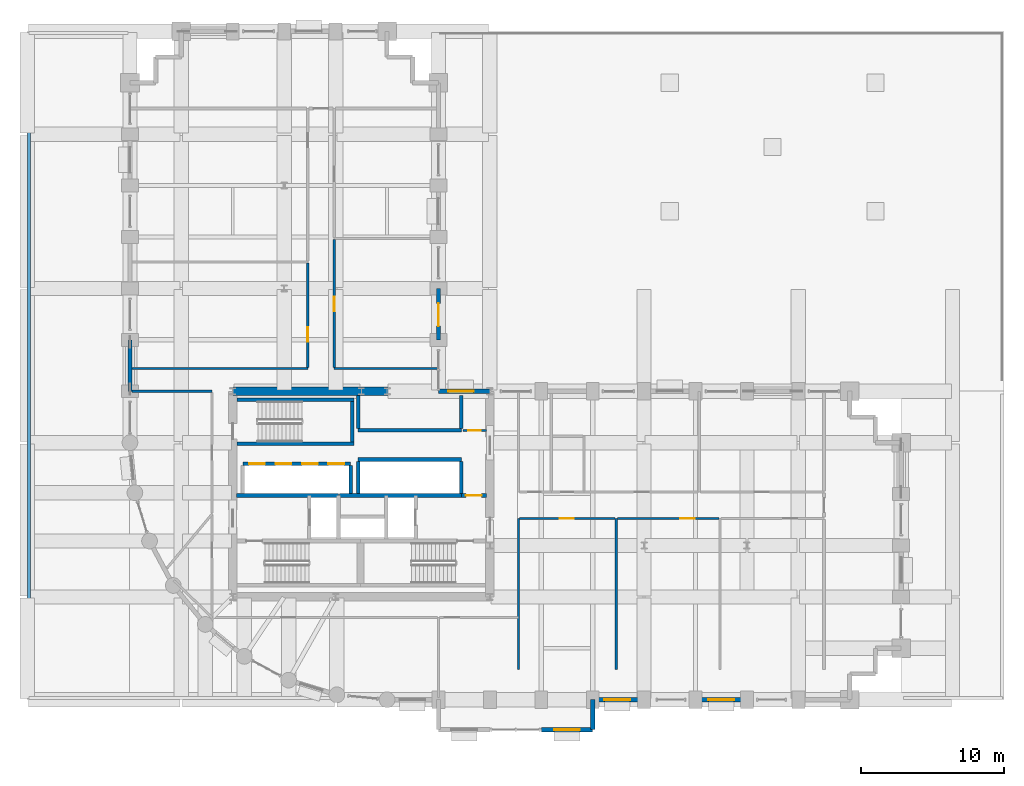
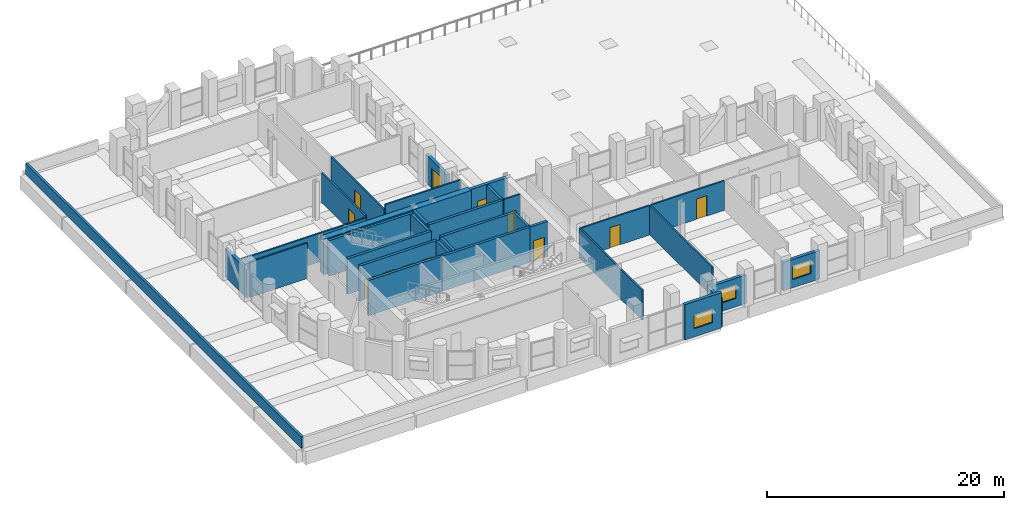
# One storey, part 35 of 39: 33 walls, 11 doors, 4 windows, 15 openings.
"""IFC4 building model written with IfcOpenShell, lengths in metres."""

from ifc_helpers import new_model, si_unit, direction, frame, frame_2d, origin, place, context, subcontext, project, spatial, rectangle, extrude, material, layer, layer_set, type_object, element, fill, save


model = new_model("IFC4")

# Units and contexts
model_context = context("Model", 3, precision=1e-05, world=origin(), true_north=direction((0.0, 1.0)))
body_context = subcontext(model_context, "Body", "Model", "MODEL_VIEW")
ifc_project = project(units=[si_unit("LENGTHUNIT", "METRE"), si_unit("AREAUNIT", "SQUARE_METRE"), si_unit("VOLUMEUNIT", "CUBIC_METRE"), si_unit("PLANEANGLEUNIT", "RADIAN"), si_unit("MASSUNIT", "GRAM", prefix="KILO")], contexts=[model_context])

# Site, building, storey
site_placement = place(None, origin())
site = spatial("IfcSite", under=ifc_project, at=site_placement, CompositionType="ELEMENT")
building_placement = place(site_placement, origin())
building = spatial("IfcBuilding", under=site, at=building_placement, Name="Solnavia Interchange Tower", CompositionType="ELEMENT")
storey_placement = place(building_placement, frame((0.0, 0.0, 24.0)))
storey = spatial("IfcBuildingStorey", under=building, at=storey_placement, Name="L05", CompositionType="ELEMENT", Elevation=24.0)

# Wall, opening, window
ifc_material_1 = material(Name="Concrete C40/50", Category="concrete")
ifc_layer_1 = layer(ifc_material_1, 0.300048828125)
ifc_layer_set_1 = layer_set([ifc_layer_1], Name="Concrete C40/50")
wall_type_1 = type_object("IfcWallType", Name="Wall-ExtSpandrel-300", PredefinedType="STANDARD", material=ifc_layer_set_1)
wall_1_placement = place(storey_placement, frame((39.60009765625, 1.5, 0.0), z_axis=(0.0, 0.0, 1.0), x_axis=(-1.0, 0.0, 0.0)))
wall_1 = element("IfcWall", 1, at=wall_1_placement, inside=storey, type_object=wall_type_1, Name="EXW-L05-05 Exterior precast spandrel wall", PredefinedType="STANDARD", context=body_context, shape_type="SweptSolid", body=[
    extrude(rectangle(XDim=3.60009765625, YDim=0.300048828125, at=frame_2d((1.800048828125, 0.0))), origin(), (0.0, 0.0, 1.0), 3.635009765625),
])
opening_1_placement = place(wall_1_placement, frame((0.89990234375, 0.0, 0.85009765625)))
opening_1 = element("IfcOpeningElement", 2, at=opening_1_placement, cuts=wall_1, Name="Opening WIN-02", PredefinedType="OPENING", context=body_context, shape_type="SweptSolid", body=[
    extrude(rectangle(XDim=1.800048828125, YDim=1.35009765625, at=frame_2d((0.89990234375, 0.675048828125))), frame((0.0, 0.16015625, 0.0), z_axis=(0.0, -1.0, 0.0), x_axis=(1.0, 0.0, 0.0)), (0.0, 0.0, 1.0), 0.320068359375),
])
ifc_material_2 = material(Name="Thermal-Break Aluminium & Low-E Glass", Category="aluminium")
window_type = type_object("IfcWindowType", Name="Window-Ribbon-1800x1350", PartitioningType="SINGLE_PANEL", PredefinedType="WINDOW", material=ifc_material_2)
window_1_placement = place(opening_1_placement, origin())
window_1 = element("IfcWindow", 3, at=window_1_placement, inside=storey, type_object=window_type, Name="WIN-L05-05 Facade ribbon window", OverallHeight=1.35009765625, OverallWidth=1.800048828125, PartitioningType="SINGLE_PANEL", PredefinedType="WINDOW", context=body_context, shape_type="SweptSolid", body=[
    extrude(rectangle(XDim=1.800048828125, YDim=1.35009765625, at=frame_2d((0.89990234375, 0.675048828125))), frame((0.0, 0.030029296875, 0.0), z_axis=(0.0, -1.0, 0.0), x_axis=(1.0, 0.0, 0.0)), (0.0, 0.0, 1.0), 0.06005859375),
])
fill(opening_1, window_1)

# Wall
wall_2_placement = place(storey_placement, frame((39.60009765625, 3.60009765625, 0.0), z_axis=(0.0, 0.0, 1.0), x_axis=(0.0, -1.0, 0.0)))
element("IfcWall", 4, at=wall_2_placement, inside=storey, type_object=wall_type_1, Name="EXW-L05-06 Exterior precast spandrel wall", PredefinedType="STANDARD", context=body_context, shape_type="SweptSolid", body=[
    extrude(rectangle(XDim=2.10009765625, YDim=0.300048828125, at=frame_2d((1.050048828125, 0.0))), origin(), (0.0, 0.0, 1.0), 2.929931640625),
])

# Wall, opening, window
wall_3_placement = place(storey_placement, frame((43.199951171875, 3.60009765625, 0.0), z_axis=(0.0, 0.0, 1.0), x_axis=(-1.0, 0.0, 0.0)))
wall_3 = element("IfcWall", 5, at=wall_3_placement, inside=storey, type_object=wall_type_1, Name="EXW-L05-07 Exterior precast spandrel wall", PredefinedType="STANDARD", context=body_context, shape_type="SweptSolid", body=[
    extrude(rectangle(XDim=3.599853515625, YDim=0.300048828125, at=frame_2d((1.7998046875, 0.0))), origin(), (0.0, 0.0, 1.0), 2.929931640625),
])
opening_2_placement = place(wall_3_placement, frame((0.97509765625, 0.0, 0.85009765625)))
opening_2 = element("IfcOpeningElement", 6, at=opening_2_placement, cuts=wall_3, Name="Opening WIN-02", PredefinedType="OPENING", context=body_context, shape_type="SweptSolid", body=[
    extrude(rectangle(XDim=1.800048828125, YDim=1.35009765625, at=frame_2d((0.89990234375, 0.675048828125))), frame((0.0, 0.16015625, 0.0), z_axis=(0.0, -1.0, 0.0), x_axis=(1.0, 0.0, 0.0)), (0.0, 0.0, 1.0), 0.320068359375),
])
window_2_placement = place(opening_2_placement, origin())
window_2 = element("IfcWindow", 7, at=window_2_placement, inside=storey, type_object=window_type, Name="WIN-L05-07 Facade ribbon window", OverallHeight=1.35009765625, OverallWidth=1.800048828125, PartitioningType="SINGLE_PANEL", PredefinedType="WINDOW", context=body_context, shape_type="SweptSolid", body=[
    extrude(rectangle(XDim=1.800048828125, YDim=1.35009765625, at=frame_2d((0.89990234375, 0.675048828125))), frame((0.0, 0.030029296875, 0.0), z_axis=(0.0, -1.0, 0.0), x_axis=(1.0, 0.0, 0.0)), (0.0, 0.0, 1.0), 0.06005859375),
])
fill(opening_2, window_2)

wall_4_placement = place(storey_placement, frame((50.39990234375, 3.60009765625, 0.0), z_axis=(0.0, 0.0, 1.0), x_axis=(-1.0, 0.0, 0.0)))
wall_4 = element("IfcWall", 8, at=wall_4_placement, inside=storey, type_object=wall_type_1, Name="EXW-L05-09 Exterior precast spandrel wall", PredefinedType="STANDARD", context=body_context, shape_type="SweptSolid", body=[
    extrude(rectangle(XDim=3.599853515625, YDim=0.300048828125, at=frame_2d((1.7998046875, 0.0))), origin(), (0.0, 0.0, 1.0), 2.929931640625),
])
opening_3_placement = place(wall_4_placement, frame((0.89990234375, 0.0, 0.85009765625)))
opening_3 = element("IfcOpeningElement", 9, at=opening_3_placement, cuts=wall_4, Name="Opening WIN-02", PredefinedType="OPENING", context=body_context, shape_type="SweptSolid", body=[
    extrude(rectangle(XDim=1.800048828125, YDim=1.35009765625, at=frame_2d((0.89990234375, 0.675048828125))), frame((0.0, 0.16015625, 0.0), z_axis=(0.0, -1.0, 0.0), x_axis=(1.0, 0.0, 0.0)), (0.0, 0.0, 1.0), 0.320068359375),
])
window_3_placement = place(opening_3_placement, origin())
window_3 = element("IfcWindow", 10, at=window_3_placement, inside=storey, type_object=window_type, Name="WIN-L05-09 Facade ribbon window", OverallHeight=1.35009765625, OverallWidth=1.800048828125, PartitioningType="SINGLE_PANEL", PredefinedType="WINDOW", context=body_context, shape_type="SweptSolid", body=[
    extrude(rectangle(XDim=1.800048828125, YDim=1.35009765625, at=frame_2d((0.89990234375, 0.675048828125))), frame((0.0, 0.030029296875, 0.0), z_axis=(0.0, -1.0, 0.0), x_axis=(1.0, 0.0, 0.0)), (0.0, 0.0, 1.0), 0.06005859375),
])
fill(opening_3, window_3)

wall_5_placement = place(storey_placement, frame((28.800048828125, 25.199951171875, 0.0), z_axis=(0.0, 0.0, 1.0), x_axis=(1.0, 0.0, 0.0)))
wall_5 = element("IfcWall", 11, at=wall_5_placement, inside=storey, type_object=wall_type_1, Name="EXW-L05-31 Exterior precast spandrel wall", PredefinedType="STANDARD", context=body_context, shape_type="SweptSolid", body=[
    extrude(rectangle(XDim=3.599853515625, YDim=0.300048828125, at=frame_2d((1.7998046875, 0.0))), origin(), (0.0, 0.0, 1.0), 3.635009765625),
])
opening_4_placement = place(wall_5_placement, frame((0.669921875, 0.0, 0.85009765625)))
opening_4 = element("IfcOpeningElement", 12, at=opening_4_placement, cuts=wall_5, Name="Opening WIN-02", PredefinedType="OPENING", context=body_context, shape_type="SweptSolid", body=[
    extrude(rectangle(XDim=1.800048828125, YDim=1.35009765625, at=frame_2d((0.89990234375, 0.675048828125))), frame((0.0, 0.16015625, 0.0), z_axis=(0.0, -1.0, 0.0), x_axis=(1.0, 0.0, 0.0)), (0.0, 0.0, 1.0), 0.320068359375),
])
window_4_placement = place(opening_4_placement, origin())
window_4 = element("IfcWindow", 13, at=window_4_placement, inside=storey, type_object=window_type, Name="WIN-L05-31 Facade ribbon window", OverallHeight=1.35009765625, OverallWidth=1.800048828125, PartitioningType="SINGLE_PANEL", PredefinedType="WINDOW", context=body_context, shape_type="SweptSolid", body=[
    extrude(rectangle(XDim=1.800048828125, YDim=1.35009765625, at=frame_2d((0.89990234375, 0.675048828125))), frame((0.0, 0.030029296875, 0.0), z_axis=(0.0, -1.0, 0.0), x_axis=(1.0, 0.0, 0.0)), (0.0, 0.0, 1.0), 0.06005859375),
])
fill(opening_4, window_4)

# Wall, opening, door
wall_6_placement = place(storey_placement, frame((28.800048828125, 28.800048828125, 0.0), z_axis=(0.0, 0.0, 1.0), x_axis=(0.0, 1.0, 0.0)))
wall_6 = element("IfcWall", 14, at=wall_6_placement, inside=storey, type_object=wall_type_1, Name="EXW-L05-33 Exterior precast spandrel wall", PredefinedType="STANDARD", context=body_context, shape_type="SweptSolid", body=[
    extrude(rectangle(XDim=3.599853515625, YDim=0.300048828125, at=frame_2d((1.7998046875, 0.0))), origin(), (0.0, 0.0, 1.0), 2.929931640625),
])
opening_5_placement = place(wall_6_placement, frame((0.9609375, 0.0, 0.0)))
opening_5 = element("IfcOpeningElement", 15, at=opening_5_placement, cuts=wall_6, Name="Opening EXD-04", PredefinedType="OPENING", context=body_context, shape_type="SweptSolid", body=[
    extrude(rectangle(XDim=1.60009765625, YDim=2.10009765625, at=frame_2d((0.800048828125, 1.050048828125))), frame((0.0, 0.16015625, 0.0), z_axis=(0.0, -1.0, 0.0), x_axis=(1.0, 0.0, 0.0)), (0.0, 0.0, 1.0), 0.320068359375),
])
ifc_material_3 = material(Name="Thermally Broken Aluminium & Laminated Glass", Category="aluminium")
door_type_1 = type_object("IfcDoorType", Name="Door-TerraceGlazed-1600x2100", OperationType="DOUBLE_DOOR_SINGLE_SWING", PredefinedType="DOOR", material=ifc_material_3)
door_1_placement = place(opening_5_placement, origin())
door_1 = element("IfcDoor", 16, at=door_1_placement, inside=storey, type_object=door_type_1, Name="EXD-L05-PR1 Podium roof garden access door", OperationType="SINGLE_SWING_LEFT", OverallHeight=2.10009765625, OverallWidth=1.60009765625, PredefinedType="DOOR", context=body_context, shape_type="SweptSolid", body=[
    extrude(rectangle(XDim=1.60009765625, YDim=2.10009765625, at=frame_2d((0.800048828125, 1.050048828125))), frame((0.0, 0.02490234375, 0.0), z_axis=(0.0, -1.0, 0.0), x_axis=(1.0, 0.0, 0.0)), (0.0, 0.0, 1.0), 0.050048828125),
])
fill(opening_5, door_1)

# Walls
wall_7_placement = place(storey_placement, frame((7.199951171875, 25.199951171875, 0.0), z_axis=(0.0, 0.0, 1.0), x_axis=(0.0, 1.0, 0.0)))
element("IfcWall", 17, at=wall_7_placement, inside=storey, type_object=wall_type_1, Name="EXW-L05-55 Exterior precast spandrel wall", PredefinedType="STANDARD", context=body_context, shape_type="SweptSolid", body=[
    extrude(rectangle(XDim=3.60009765625, YDim=0.300048828125, at=frame_2d((1.800048828125, 0.0))), origin(), (0.0, 0.0, 1.0), 2.929931640625),
])
ifc_layer_2 = layer(ifc_material_1, 0.219970703125)
ifc_layer_set_2 = layer_set([ifc_layer_2], Name="Concrete C40/50")
wall_type_2 = type_object("IfcWallType", Name="Wall-Parapet-220", PredefinedType="PARAPET", material=ifc_layer_set_2)
wall_8_placement = place(storey_placement, frame((0.1201171875, 50.280029296875, 0.0), z_axis=(0.0, 0.0, 1.0), x_axis=(0.0, -1.0, 0.0)))
element("IfcWall", 18, at=wall_8_placement, inside=storey, type_object=wall_type_2, Name="PRP-L05-W2 Podium roof west parapet", PredefinedType="PARAPET", context=body_context, shape_type="SweptSolid", body=[
    extrude(rectangle(XDim=46.56005859375, YDim=0.219970703125, at=frame_2d((23.280029296875, 0.0))), origin(), (0.0, 0.0, 1.0), 1.14990234375),
])

# Wall, opening, door
ifc_material_4 = material(Name="Gypsum Plasterboard & Steel Stud", Category="steel")
ifc_layer_3 = layer(ifc_material_4, 0.14990234375)
ifc_layer_set_3 = layer_set([ifc_layer_3], Name="Gypsum Plasterboard & Steel Stud")
wall_type_3 = type_object("IfcWallType", Name="Wall-Partition-150", PredefinedType="PARTITIONING", material=ifc_layer_set_3)
wall_9_placement = place(storey_placement, frame((30.52001953125, 22.4599609375, 0.0), z_axis=(0.0, 0.0, 1.0), x_axis=(1.0, 0.0, 0.0)))
wall_9 = element("IfcWall", 19, at=wall_9_placement, inside=storey, type_object=wall_type_3, Name="CSW-L05-NE-S Core shaft wall", PredefinedType="PARTITIONING", context=body_context, shape_type="SweptSolid", body=[
    extrude(rectangle(XDim=1.6298828125, YDim=0.14990234375, at=frame_2d((0.81494140625, 0.0))), origin(), (0.0, 0.0, 1.0), 3.635009765625),
])
opening_6_placement = place(wall_9_placement, frame((0.3798828125, 0.0, 0.0)))
opening_6 = element("IfcOpeningElement", 20, at=opening_6_placement, cuts=wall_9, Name="Opening DR-10", PredefinedType="OPENING", context=body_context, shape_type="SweptSolid", body=[
    extrude(rectangle(XDim=0.85009765625, YDim=2.10009765625, at=frame_2d((0.425048828125, 1.050048828125))), frame((0.0, 0.0849609375, 0.0), z_axis=(0.0, -1.0, 0.0), x_axis=(1.0, 0.0, 0.0)), (0.0, 0.0, 1.0), 0.169921875),
])
ifc_material_5 = material(Name="Moisture-Resistant Timber Door", Category="wood")
door_type_2 = type_object("IfcDoorType", Name="Door-Bathroom-850x2100", OperationType="SINGLE_SWING_RIGHT", PredefinedType="DOOR", material=ifc_material_5)
door_2_placement = place(opening_6_placement, origin())
door_2 = element("IfcDoor", 21, at=door_2_placement, inside=storey, type_object=door_type_2, Name="DR-L05-CNE1 Core fire door", OperationType="SINGLE_SWING_RIGHT", OverallHeight=2.10009765625, OverallWidth=0.85009765625, PredefinedType="DOOR", context=body_context, shape_type="SweptSolid", body=[
    extrude(rectangle(XDim=0.85009765625, YDim=2.10009765625, at=frame_2d((0.425048828125, 1.050048828125))), frame((0.0, 0.02490234375, 0.0), z_axis=(0.0, -1.0, 0.0), x_axis=(1.0, 0.0, 0.0)), (0.0, 0.0, 1.0), 0.050048828125),
])
fill(opening_6, door_2)

# Walls
wall_10_placement = place(storey_placement, frame((7.35400390625, 25.199951171875, 0.0), z_axis=(0.0, 0.0, 1.0), x_axis=(1.0, 0.0, 0.0)))
element("IfcWall", 22, at=wall_10_placement, inside=storey, type_object=wall_type_3, Name="PTW-L05-07 Interior partition wall", PredefinedType="PARTITIONING", context=body_context, shape_type="SweptSolid", body=[
    extrude(rectangle(XDim=5.595947265625, YDim=0.14990234375, at=frame_2d((2.7978515625, 0.0))), origin(), (0.0, 0.0, 1.0), 3.635009765625),
])
wall_11_placement = place(storey_placement, frame((34.39990234375, 5.699951171875, 0.0), z_axis=(0.0, 0.0, 1.0), x_axis=(0.0, 1.0, 0.0)))
element("IfcWall", 23, at=wall_11_placement, inside=storey, type_object=wall_type_3, Name="PTW-L05-15 Interior partition wall", PredefinedType="PARTITIONING", context=body_context, shape_type="SweptSolid", body=[
    extrude(rectangle(XDim=10.60009765625, YDim=0.14990234375, at=frame_2d((5.300048828125, 0.0))), origin(), (0.0, 0.0, 1.0), 3.080078125),
])
wall_12_placement = place(storey_placement, frame((41.25, 5.699951171875, 0.0), z_axis=(0.0, 0.0, 1.0), x_axis=(0.0, 1.0, 0.0)))
element("IfcWall", 24, at=wall_12_placement, inside=storey, type_object=wall_type_3, Name="PTW-L05-16 Interior partition wall", PredefinedType="PARTITIONING", context=body_context, shape_type="SweptSolid", body=[
    extrude(rectangle(XDim=10.60009765625, YDim=0.14990234375, at=frame_2d((5.300048828125, 0.0))), origin(), (0.0, 0.0, 1.0), 3.030029296875),
])

# Wall, opening, door
wall_13_placement = place(storey_placement, frame((34.47900390625, 16.300048828125, 0.0), z_axis=(0.0, 0.0, 1.0), x_axis=(1.0, 0.0, 0.0)))
wall_13 = element("IfcWall", 25, at=wall_13_placement, inside=storey, type_object=wall_type_3, Name="PTW-L05-17 Interior partition wall", PredefinedType="PARTITIONING", context=body_context, shape_type="SweptSolid", body=[
    extrude(rectangle(XDim=6.69189453125, YDim=0.14990234375, at=frame_2d((3.345947265625, 0.0))), origin(), (0.0, 0.0, 1.0), 3.0400390625),
])
opening_7_placement = place(wall_13_placement, frame((2.806884765625, 0.0, 0.0)))
opening_7 = element("IfcOpeningElement", 26, at=opening_7_placement, cuts=wall_13, Name="Opening DR-07", PredefinedType="OPENING", context=body_context, shape_type="SweptSolid", body=[
    extrude(rectangle(XDim=1.0, YDim=2.10009765625, at=frame_2d((0.5, 1.050048828125))), frame((0.0, 0.0849609375, 0.0), z_axis=(0.0, -1.0, 0.0), x_axis=(1.0, 0.0, 0.0)), (0.0, 0.0, 1.0), 0.169921875),
])
ifc_material_6 = material(Name="Timber & Acoustic Glazed Office Door", Category="wood")
door_type_3 = type_object("IfcDoorType", Name="Door-Office-1000x2100", OperationType="SINGLE_SWING_RIGHT", PredefinedType="DOOR", material=ifc_material_6)
door_3_placement = place(opening_7_placement, origin())
door_3 = element("IfcDoor", 27, at=door_3_placement, inside=storey, type_object=door_type_3, Name="DR-L05-07 Interior room door", OperationType="SINGLE_SWING_LEFT", OverallHeight=2.10009765625, OverallWidth=1.0, PredefinedType="DOOR", context=body_context, shape_type="SweptSolid", body=[
    extrude(rectangle(XDim=1.0, YDim=2.10009765625, at=frame_2d((0.5, 1.050048828125))), frame((0.0, 0.02490234375, 0.0), z_axis=(0.0, -1.0, 0.0), x_axis=(1.0, 0.0, 0.0)), (0.0, 0.0, 1.0), 0.050048828125),
])
fill(opening_7, door_3)

wall_14_placement = place(storey_placement, frame((41.3291015625, 16.300048828125, 0.0), z_axis=(0.0, 0.0, 1.0), x_axis=(1.0, 0.0, 0.0)))
wall_14 = element("IfcWall", 28, at=wall_14_placement, inside=storey, type_object=wall_type_3, Name="PTW-L05-19 Interior partition wall", PredefinedType="PARTITIONING", context=body_context, shape_type="SweptSolid", body=[
    extrude(rectangle(XDim=7.11181640625, YDim=0.14990234375, at=frame_2d((3.555908203125, 0.0))), origin(), (0.0, 0.0, 1.0), 3.0400390625),
])
opening_8_placement = place(wall_14_placement, frame((4.404052734375, 0.0, 0.0)))
opening_8 = element("IfcOpeningElement", 29, at=opening_8_placement, cuts=wall_14, Name="Opening DR-07", PredefinedType="OPENING", context=body_context, shape_type="SweptSolid", body=[
    extrude(rectangle(XDim=1.0, YDim=2.10009765625, at=frame_2d((0.5, 1.050048828125))), frame((0.0, 0.0849609375, 0.0), z_axis=(0.0, -1.0, 0.0), x_axis=(1.0, 0.0, 0.0)), (0.0, 0.0, 1.0), 0.169921875),
])
door_4_placement = place(opening_8_placement, origin())
door_4 = element("IfcDoor", 30, at=door_4_placement, inside=storey, type_object=door_type_3, Name="DR-L05-08 Interior room door", OperationType="SINGLE_SWING_RIGHT", OverallHeight=2.10009765625, OverallWidth=1.0, PredefinedType="DOOR", context=body_context, shape_type="SweptSolid", body=[
    extrude(rectangle(XDim=1.0, YDim=2.10009765625, at=frame_2d((0.5, 1.050048828125))), frame((0.0, 0.02490234375, 0.0), z_axis=(0.0, -1.0, 0.0), x_axis=(1.0, 0.0, 0.0)), (0.0, 0.0, 1.0), 0.050048828125),
])
fill(opening_8, door_4)

# Wall
wall_15_placement = place(storey_placement, frame((7.35400390625, 26.800048828125, 0.0), z_axis=(0.0, 0.0, 1.0), x_axis=(1.0, 0.0, 0.0)))
element("IfcWall", 31, at=wall_15_placement, inside=storey, type_object=wall_type_3, Name="PTW-L05-27 Interior partition wall", PredefinedType="PARTITIONING", context=body_context, shape_type="SweptSolid", body=[
    extrude(rectangle(XDim=12.2958984375, YDim=0.14990234375, at=frame_2d((6.14794921875, 0.0))), origin(), (0.0, 0.0, 1.0), 2.929931640625),
])

# Wall, opening, door
wall_16_placement = place(storey_placement, frame((19.64990234375, 26.87890625, 0.0), z_axis=(0.0, 0.0, 1.0), x_axis=(0.0, 1.0, 0.0)))
wall_16 = element("IfcWall", 32, at=wall_16_placement, inside=storey, type_object=wall_type_3, Name="PTW-L05-29 Interior partition wall", PredefinedType="PARTITIONING", context=body_context, shape_type="SweptSolid", body=[
    extrude(rectangle(XDim=7.2919921875, YDim=0.14990234375, at=frame_2d((3.64599609375, 0.0))), origin(), (0.0, 0.0, 1.0), 3.080078125),
])
opening_9_placement = place(wall_16_placement, frame((1.79296875, 0.0, 0.0)))
opening_9 = element("IfcOpeningElement", 33, at=opening_9_placement, cuts=wall_16, Name="Opening DR-07", PredefinedType="OPENING", context=body_context, shape_type="SweptSolid", body=[
    extrude(rectangle(XDim=1.0, YDim=2.10009765625, at=frame_2d((0.5, 1.050048828125))), frame((0.0, 0.0849609375, 0.0), z_axis=(0.0, -1.0, 0.0), x_axis=(1.0, 0.0, 0.0)), (0.0, 0.0, 1.0), 0.169921875),
])
door_5_placement = place(opening_9_placement, origin())
door_5 = element("IfcDoor", 34, at=door_5_placement, inside=storey, type_object=door_type_3, Name="DR-L05-13 Interior room door", OperationType="SINGLE_SWING_RIGHT", OverallHeight=2.10009765625, OverallWidth=1.0, PredefinedType="DOOR", context=body_context, shape_type="SweptSolid", body=[
    extrude(rectangle(XDim=1.0, YDim=2.10009765625, at=frame_2d((0.5, 1.050048828125))), frame((0.0, 0.02490234375, 0.0), z_axis=(0.0, -1.0, 0.0), x_axis=(1.0, 0.0, 0.0)), (0.0, 0.0, 1.0), 0.050048828125),
])
fill(opening_9, door_5)

# Wall
wall_17_placement = place(storey_placement, frame((21.5, 26.800048828125, 0.0), z_axis=(0.0, 0.0, 1.0), x_axis=(1.0, 0.0, 0.0)))
element("IfcWall", 35, at=wall_17_placement, inside=storey, type_object=wall_type_3, Name="PTW-L05-31 Interior partition wall", PredefinedType="PARTITIONING", context=body_context, shape_type="SweptSolid", body=[
    extrude(rectangle(XDim=7.300048828125, YDim=0.14990234375, at=frame_2d((3.64990234375, 0.0))), origin(), (0.0, 0.0, 1.0), 3.635009765625),
])

# Wall, opening, door
wall_18_placement = place(storey_placement, frame((21.5, 26.87890625, 0.0), z_axis=(0.0, 0.0, 1.0), x_axis=(0.0, 1.0, 0.0)))
wall_18 = element("IfcWall", 36, at=wall_18_placement, inside=storey, type_object=wall_type_3, Name="PTW-L05-33 Interior partition wall", PredefinedType="PARTITIONING", context=body_context, shape_type="SweptSolid", body=[
    extrude(rectangle(XDim=8.942138671875, YDim=0.14990234375, at=frame_2d((4.47119140625, 0.0))), origin(), (0.0, 0.0, 1.0), 3.080078125),
])
opening_10_placement = place(wall_18_placement, frame((3.930908203125, 0.0, 0.0)))
opening_10 = element("IfcOpeningElement", 37, at=opening_10_placement, cuts=wall_18, Name="Opening DR-07", PredefinedType="OPENING", context=body_context, shape_type="SweptSolid", body=[
    extrude(rectangle(XDim=1.0, YDim=2.10009765625, at=frame_2d((0.5, 1.050048828125))), frame((0.0, 0.0849609375, 0.0), z_axis=(0.0, -1.0, 0.0), x_axis=(1.0, 0.0, 0.0)), (0.0, 0.0, 1.0), 0.169921875),
])
door_6_placement = place(opening_10_placement, origin())
door_6 = element("IfcDoor", 38, at=door_6_placement, inside=storey, type_object=door_type_3, Name="DR-L05-15 Interior room door", OperationType="SINGLE_SWING_LEFT", OverallHeight=2.10009765625, OverallWidth=1.0, PredefinedType="DOOR", context=body_context, shape_type="SweptSolid", body=[
    extrude(rectangle(XDim=1.0, YDim=2.10009765625, at=frame_2d((0.5, 1.050048828125))), frame((0.0, 0.02490234375, 0.0), z_axis=(0.0, -1.0, 0.0), x_axis=(1.0, 0.0, 0.0)), (0.0, 0.0, 1.0), 0.050048828125),
])
fill(opening_10, door_6)

# Walls
ifc_layer_4 = layer(ifc_material_1, 0.25)
ifc_layer_set_4 = layer_set([ifc_layer_4], Name="Concrete C40/50")
wall_type_4 = type_object("IfcWallType", Name="Wall-ShaftCore-250", PredefinedType="SHEAR", material=ifc_layer_set_4)
for number, where, z_axis, x_axis, name in (
    (39, (14.699951171875, 21.52490234375, 0.0), (0.0, 0.0, 1.0), (1.0, 0.0, 0.0), "SHW-L05-ST3S Core shear wall"),
    (40, (14.699951171875, 24.614990234375, 0.0), (0.0, 0.0, 1.0), (1.0, 0.0, 0.0), "SHW-L05-ST3N Core shear wall"),
):
    element("IfcWall", number, at=place(storey_placement, frame(where, z_axis=z_axis, x_axis=x_axis)), inside=storey, type_object=wall_type_4, Name=name, PredefinedType="SHEAR", context=body_context, shape_type="SweptSolid", body=[
        extrude(rectangle(XDim=8.199951171875, YDim=0.25, at=frame_2d((4.10009765625, 0.0))), origin(), (0.0, 0.0, 1.0), 3.64990234375),
    ])
wall_19_placement = place(storey_placement, frame((22.77490234375, 21.64990234375, 0.0), z_axis=(0.0, 0.0, 1.0), x_axis=(0.0, 1.0, 0.0)))
element("IfcWall", 41, at=wall_19_placement, inside=storey, type_object=wall_type_4, Name="SHW-L05-ST3E Core shear wall", PredefinedType="SHEAR", context=body_context, shape_type="SweptSolid", body=[
    extrude(rectangle(XDim=2.840087890625, YDim=0.25, at=frame_2d((1.419921875, 0.0))), origin(), (0.0, 0.0, 1.0), 3.64990234375),
])
ifc_layer_5 = layer(ifc_material_1, 0.25)
ifc_layer_set_5 = layer_set([ifc_layer_5], Name="Concrete C40/50")
wall_type_5 = type_object("IfcWallType", Name="Wall-ShaftPart-250", PredefinedType="PARTITIONING", material=ifc_layer_set_5)
wall_20_placement = place(storey_placement, frame((14.64990234375, 17.89990234375, 0.0), z_axis=(0.0, 0.0, 1.0), x_axis=(1.0, 0.0, 0.0)))
element("IfcWall", 42, at=wall_20_placement, inside=storey, type_object=wall_type_5, Name="SHW-L05-FFLW-N Core shaft wall", PredefinedType="PARTITIONING", context=body_context, shape_type="SweptSolid", body=[
    extrude(rectangle(XDim=7.150146484375, YDim=0.25, at=frame_2d((3.5751953125, 0.0))), origin(), (0.0, 0.0, 1.0), 3.635009765625),
])
wall_21_placement = place(storey_placement, frame((21.8798828125, 17.89990234375, 0.0), z_axis=(0.0, 0.0, 1.0), x_axis=(1.0, 0.0, 0.0)))
element("IfcWall", 43, at=wall_21_placement, inside=storey, type_object=wall_type_5, Name="SHW-L05-FFLE-N1 Core shaft wall", PredefinedType="PARTITIONING", context=body_context, shape_type="SweptSolid", body=[
    extrude(rectangle(XDim=8.52001953125, YDim=0.25, at=frame_2d((4.260009765625, 0.0))), origin(), (0.0, 0.0, 1.0), 3.635009765625),
])

# Wall, opening, door
wall_22_placement = place(storey_placement, frame((30.39990234375, 17.89990234375, 0.0), z_axis=(0.0, 0.0, 1.0), x_axis=(1.0, 0.0, 0.0)))
wall_22 = element("IfcWall", 44, at=wall_22_placement, inside=storey, type_object=wall_type_5, Name="SHW-L05-FFLE-N2 Core shaft wall", PredefinedType="PARTITIONING", context=body_context, shape_type="SweptSolid", body=[
    extrude(rectangle(XDim=1.75, YDim=0.25, at=frame_2d((0.875, 0.0))), origin(), (0.0, 0.0, 1.0), 3.635009765625),
])
opening_11_placement = place(wall_22_placement, frame((0.320068359375, 0.0, 0.0)))
opening_11 = element("IfcOpeningElement", 45, at=opening_11_placement, cuts=wall_22, Name="Opening DR-01", PredefinedType="OPENING", context=body_context, shape_type="SweptSolid", body=[
    extrude(rectangle(XDim=1.10009765625, YDim=2.10009765625, at=frame_2d((0.550048828125, 1.050048828125))), frame((0.0, 0.135009765625, 0.0), z_axis=(0.0, -1.0, 0.0), x_axis=(1.0, 0.0, 0.0)), (0.0, 0.0, 1.0), 0.27001953125),
])
ifc_material_7 = material(Name="Steel Fire-Rated Leaf & Frame", Category="steel")
door_type_4 = type_object("IfcDoorType", Name="Door-StairFire-1100x2100", OperationType="SINGLE_SWING_LEFT", PredefinedType="DOOR", material=ifc_material_7)
door_7_placement = place(opening_11_placement, origin())
door_7 = element("IfcDoor", 46, at=door_7_placement, inside=storey, type_object=door_type_4, Name="DR-L05-LLC Core fire door", OperationType="SINGLE_SWING_LEFT", OverallHeight=2.10009765625, OverallWidth=1.10009765625, PredefinedType="DOOR", context=body_context, shape_type="SweptSolid", body=[
    extrude(rectangle(XDim=1.10009765625, YDim=2.10009765625, at=frame_2d((0.550048828125, 1.050048828125))), frame((0.0, 0.02490234375, 0.0), z_axis=(0.0, -1.0, 0.0), x_axis=(1.0, 0.0, 0.0)), (0.0, 0.0, 1.0), 0.050048828125),
])
fill(opening_11, door_7)

# Wall, openings, doors
wall_23_placement = place(storey_placement, frame((15.10009765625, 20.125, 0.0), z_axis=(0.0, 0.0, 1.0), x_axis=(1.0, 0.0, 0.0)))
wall_23 = element("IfcWall", 47, at=wall_23_placement, inside=storey, type_object=wall_type_5, Name="SHW-L05-B1N Core shaft wall", PredefinedType="PARTITIONING", context=body_context, shape_type="SweptSolid", body=[
    extrude(rectangle(XDim=7.5498046875, YDim=0.25, at=frame_2d((3.77490234375, 0.0))), origin(), (0.0, 0.0, 1.0), 3.635009765625),
])
opening_12_placement = place(wall_23_placement, frame((0.449951171875, 0.0, 0.0)))
opening_12 = element("IfcOpeningElement", 48, at=opening_12_placement, cuts=wall_23, Name="Opening LD-01", PredefinedType="OPENING", context=body_context, shape_type="SweptSolid", body=[
    extrude(rectangle(XDim=1.10009765625, YDim=2.10009765625, at=frame_2d((0.550048828125, 1.050048828125))), frame((0.0, 0.135009765625, 0.0), z_axis=(0.0, -1.0, 0.0), x_axis=(1.0, 0.0, 0.0)), (0.0, 0.0, 1.0), 0.27001953125),
])
opening_13_placement = place(wall_23_placement, frame((2.300048828125, 0.0, 0.0)))
opening_13 = element("IfcOpeningElement", 49, at=opening_13_placement, cuts=wall_23, Name="Opening LD-01", PredefinedType="OPENING", context=body_context, shape_type="SweptSolid", body=[
    extrude(rectangle(XDim=1.10009765625, YDim=2.10009765625, at=frame_2d((0.550048828125, 1.050048828125))), frame((0.0, 0.135009765625, 0.0), z_axis=(0.0, -1.0, 0.0), x_axis=(1.0, 0.0, 0.0)), (0.0, 0.0, 1.0), 0.27001953125),
])
opening_14_placement = place(wall_23_placement, frame((4.14990234375, 0.0, 0.0)))
opening_14 = element("IfcOpeningElement", 50, at=opening_14_placement, cuts=wall_23, Name="Opening LD-01", PredefinedType="OPENING", context=body_context, shape_type="SweptSolid", body=[
    extrude(rectangle(XDim=1.10009765625, YDim=2.10009765625, at=frame_2d((0.550048828125, 1.050048828125))), frame((0.0, 0.135009765625, 0.0), z_axis=(0.0, -1.0, 0.0), x_axis=(1.0, 0.0, 0.0)), (0.0, 0.0, 1.0), 0.27001953125),
])
opening_15_placement = place(wall_23_placement, frame((6.0, 0.0, 0.0)))
opening_15 = element("IfcOpeningElement", 51, at=opening_15_placement, cuts=wall_23, Name="Opening LD-01", PredefinedType="OPENING", context=body_context, shape_type="SweptSolid", body=[
    extrude(rectangle(XDim=1.10009765625, YDim=2.10009765625, at=frame_2d((0.550048828125, 1.050048828125))), frame((0.0, 0.135009765625, 0.0), z_axis=(0.0, -1.0, 0.0), x_axis=(1.0, 0.0, 0.0)), (0.0, 0.0, 1.0), 0.27001953125),
])
ifc_material_8 = material(Name="Brushed Stainless Steel Sliding Door", Category="steel")
door_type_5 = type_object("IfcDoorType", Name="Door-LiftLanding-1100x2100", OperationType="SLIDING_TO_LEFT", PredefinedType="DOOR", material=ifc_material_8)
door_8_placement = place(opening_12_placement, origin())
door_8 = element("IfcDoor", 52, at=door_8_placement, inside=storey, type_object=door_type_5, Name="LD-L05-B1-1 Lift landing sliding door", OperationType="SLIDING_TO_LEFT", OverallHeight=2.10009765625, OverallWidth=1.10009765625, PredefinedType="DOOR", context=body_context, shape_type="SweptSolid", body=[
    extrude(rectangle(XDim=1.10009765625, YDim=2.10009765625, at=frame_2d((0.550048828125, 1.050048828125))), frame((0.0, 0.02490234375, 0.0), z_axis=(0.0, -1.0, 0.0), x_axis=(1.0, 0.0, 0.0)), (0.0, 0.0, 1.0), 0.050048828125),
])
fill(opening_12, door_8)
door_9_placement = place(opening_13_placement, origin())
door_9 = element("IfcDoor", 53, at=door_9_placement, inside=storey, type_object=door_type_5, Name="LD-L05-B1-2 Lift landing sliding door", OperationType="SLIDING_TO_LEFT", OverallHeight=2.10009765625, OverallWidth=1.10009765625, PredefinedType="DOOR", context=body_context, shape_type="SweptSolid", body=[
    extrude(rectangle(XDim=1.10009765625, YDim=2.10009765625, at=frame_2d((0.550048828125, 1.050048828125))), frame((0.0, 0.02490234375, 0.0), z_axis=(0.0, -1.0, 0.0), x_axis=(1.0, 0.0, 0.0)), (0.0, 0.0, 1.0), 0.050048828125),
])
fill(opening_13, door_9)
door_10_placement = place(opening_14_placement, origin())
door_10 = element("IfcDoor", 54, at=door_10_placement, inside=storey, type_object=door_type_5, Name="LD-L05-B1-3 Lift landing sliding door", OperationType="SLIDING_TO_LEFT", OverallHeight=2.10009765625, OverallWidth=1.10009765625, PredefinedType="DOOR", context=body_context, shape_type="SweptSolid", body=[
    extrude(rectangle(XDim=1.10009765625, YDim=2.10009765625, at=frame_2d((0.550048828125, 1.050048828125))), frame((0.0, 0.02490234375, 0.0), z_axis=(0.0, -1.0, 0.0), x_axis=(1.0, 0.0, 0.0)), (0.0, 0.0, 1.0), 0.050048828125),
])
fill(opening_14, door_10)
door_11_placement = place(opening_15_placement, origin())
door_11 = element("IfcDoor", 55, at=door_11_placement, inside=storey, type_object=door_type_5, Name="LD-L05-B1-4 Lift landing sliding door", OperationType="SLIDING_TO_LEFT", OverallHeight=2.10009765625, OverallWidth=1.10009765625, PredefinedType="DOOR", context=body_context, shape_type="SweptSolid", body=[
    extrude(rectangle(XDim=1.10009765625, YDim=2.10009765625, at=frame_2d((0.550048828125, 1.050048828125))), frame((0.0, 0.02490234375, 0.0), z_axis=(0.0, -1.0, 0.0), x_axis=(1.0, 0.0, 0.0)), (0.0, 0.0, 1.0), 0.050048828125),
])
fill(opening_15, door_11)

# Walls
wall_24_placement = place(storey_placement, frame((22.64990234375, 18.02490234375, 0.0), z_axis=(0.0, 0.0, 1.0), x_axis=(0.0, 1.0, 0.0)))
element("IfcWall", 56, at=wall_24_placement, inside=storey, type_object=wall_type_5, Name="SHW-L05-B1E Core shaft wall", PredefinedType="PARTITIONING", context=body_context, shape_type="SweptSolid", body=[
    extrude(rectangle(XDim=1.97509765625, YDim=0.25, at=frame_2d((0.987548828125, 0.0))), origin(), (0.0, 0.0, 1.0), 3.635009765625),
])
wall_25_placement = place(storey_placement, frame((23.179931640625, 20.419921875, 0.0), z_axis=(0.0, 0.0, 1.0), x_axis=(1.0, 0.0, 0.0)))
element("IfcWall", 57, at=wall_25_placement, inside=storey, type_object=wall_type_5, Name="SHW-L05-B2N Core shaft wall", PredefinedType="PARTITIONING", context=body_context, shape_type="SweptSolid", body=[
    extrude(rectangle(XDim=7.219970703125, YDim=0.25, at=frame_2d((3.60986328125, 0.0))), origin(), (0.0, 0.0, 1.0), 3.635009765625),
])
for number, where, z_axis, x_axis, name in (
    (58, (23.179931640625, 18.02490234375, 0.0), (0.0, 0.0, 1.0), (0.0, 1.0, 0.0), "SHW-L05-B2W Core shaft wall"),
    (59, (30.39990234375, 18.02490234375, 0.0), (0.0, 0.0, 1.0), (0.0, 1.0, 0.0), "SHW-L05-B2E Core shaft wall"),
):
    element("IfcWall", number, at=place(storey_placement, frame(where, z_axis=z_axis, x_axis=x_axis)), inside=storey, type_object=wall_type_5, Name=name, PredefinedType="PARTITIONING", context=body_context, shape_type="SweptSolid", body=[
        extrude(rectangle(XDim=2.27001953125, YDim=0.25, at=frame_2d((1.135009765625, 0.0))), origin(), (0.0, 0.0, 1.0), 3.635009765625),
    ])
wall_26_placement = place(storey_placement, frame((23.179931640625, 22.4599609375, 0.0), z_axis=(0.0, 0.0, 1.0), x_axis=(1.0, 0.0, 0.0)))
element("IfcWall", 60, at=wall_26_placement, inside=storey, type_object=wall_type_5, Name="SHW-L05-B3S Core shaft wall", PredefinedType="PARTITIONING", context=body_context, shape_type="SweptSolid", body=[
    extrude(rectangle(XDim=7.219970703125, YDim=0.25, at=frame_2d((3.60986328125, 0.0))), origin(), (0.0, 0.0, 1.0), 3.635009765625),
])
for number, where, z_axis, x_axis, name in (
    (61, (23.179931640625, 22.5849609375, 0.0), (0.0, 0.0, 1.0), (0.0, 1.0, 0.0), "SHW-L05-B3W Core shaft wall"),
    (62, (30.39990234375, 22.5849609375, 0.0), (0.0, 0.0, 1.0), (0.0, 1.0, 0.0), "SHW-L05-B3E Core shaft wall"),
):
    element("IfcWall", number, at=place(storey_placement, frame(where, z_axis=z_axis, x_axis=x_axis)), inside=storey, type_object=wall_type_5, Name=name, PredefinedType="PARTITIONING", context=body_context, shape_type="SweptSolid", body=[
        extrude(rectangle(XDim=2.31494140625, YDim=0.25, at=frame_2d((1.157470703125, 0.0))), origin(), (0.0, 0.0, 1.0), 3.635009765625),
    ])
ifc_material_9 = material(Name="Concrete C60/75", Category="concrete")
ifc_layer_6 = layer(ifc_material_9, 0.60009765625)
ifc_layer_set_6 = layer_set([ifc_layer_6], Name="Concrete C60/75")
wall_type_6 = type_object("IfcWallType", Name="Wall-ShearCore-600", PredefinedType="SHEAR", material=ifc_layer_set_6)
wall_27_placement = place(storey_placement, frame((14.39990234375, 25.199951171875, 0.0), z_axis=(0.0, 0.0, 1.0), x_axis=(1.0, 0.0, 0.0)))
element("IfcWall", 63, at=wall_27_placement, inside=storey, type_object=wall_type_6, Name="CRW-L05-N Core shear wall", PredefinedType="SHEAR", context=body_context, shape_type="SweptSolid", body=[
    extrude(rectangle(XDim=14.400146484375, YDim=0.60009765625, at=frame_2d((7.2001953125, 0.0))), origin(), (0.0, 0.0, 1.0), 3.64990234375),
])

save(model, "model.ifc")
